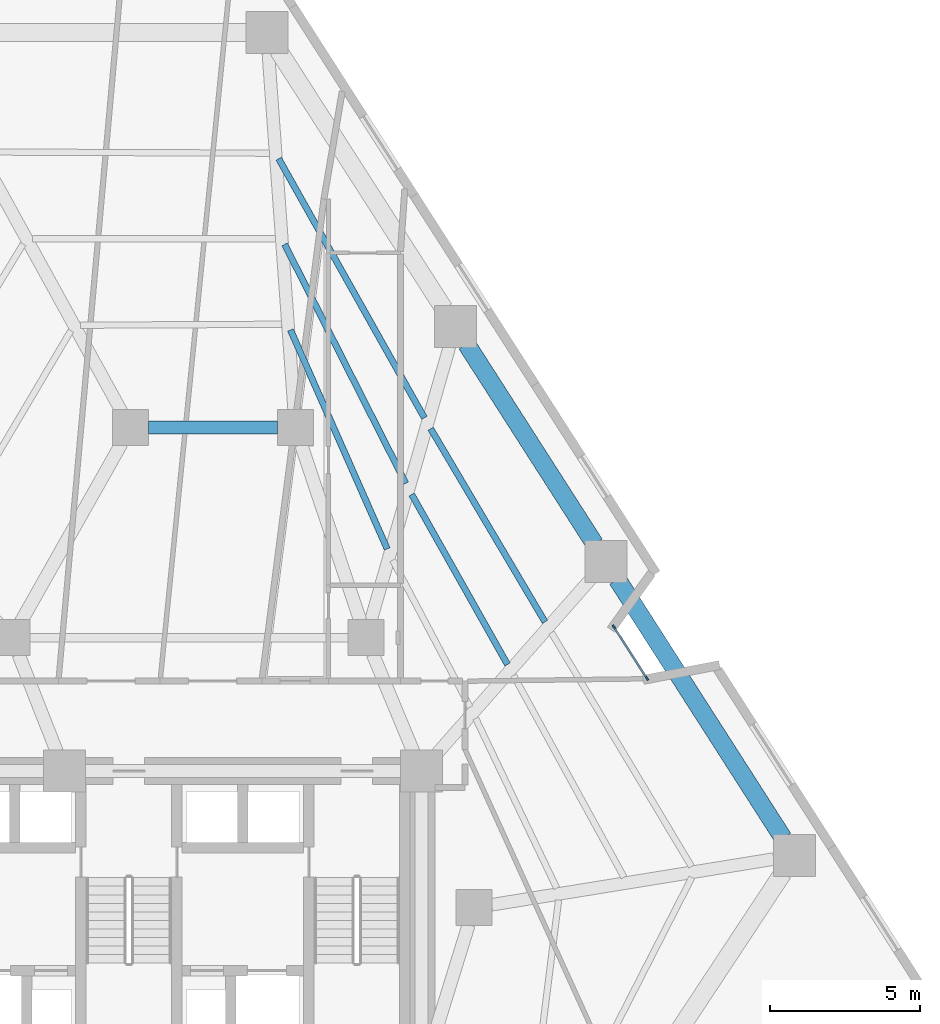
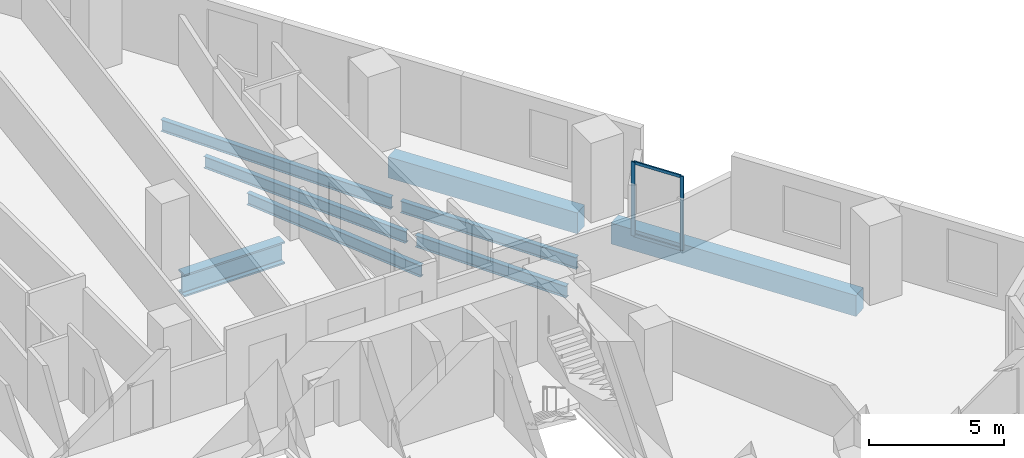
# One storey, part 4 of 14: 8 beams, 4 members, 1 element without a shape of its own.
"""IFC4 building model written with IfcOpenShell, lengths in metres."""

from ifc_helpers import new_model, si_unit, direction, frame, origin, origin_2d, place, context, subcontext, project, spatial, rectangle, i_section, extrude, material, layer, layer_set, material_profile, profile_set, type_object, element, aggregate, save


model = new_model("IFC4")

# Units and contexts
model_context = context("Model", 3, precision=1e-05, world=origin(), true_north=direction((0.0, 1.0)))
body_context = subcontext(model_context, "Body", "Model", "MODEL_VIEW")
ifc_project = project(units=[si_unit("LENGTHUNIT", "METRE"), si_unit("AREAUNIT", "SQUARE_METRE"), si_unit("VOLUMEUNIT", "CUBIC_METRE"), si_unit("PLANEANGLEUNIT", "RADIAN"), si_unit("MASSUNIT", "GRAM", prefix="KILO")], contexts=[model_context])

# Site, building, storey
site_placement = place(None, origin())
site = spatial("IfcSite", under=ifc_project, at=site_placement, CompositionType="ELEMENT")
building_placement = place(site_placement, origin())
building = spatial("IfcBuilding", under=site, at=building_placement, Name="Almagre Mirador Tower", CompositionType="ELEMENT")
storey_placement = place(building_placement, frame((0.0, 0.0, 46.199951171875)))
storey = spatial("IfcBuildingStorey", under=building, at=storey_placement, Name="L10", CompositionType="ELEMENT", Elevation=46.199951171875)

# Beams
ifc_material_1 = material(Name="Steel ASTM A992 Grade 50", Category="steel")
ifc_material_profile_1 = material_profile(ifc_material_1, i_section(OverallWidth=0.208984375, OverallDepth=0.532958984375, WebThickness=0.01025390625, FlangeThickness=0.015625, FilletRadius=0.01806640625, at=origin_2d()), Name="W21X62")
ifc_profile_set_1 = profile_set([ifc_material_profile_1], Name="Steel ASTM A992 Grade 50")
beam_type_1 = type_object("IfcBeamType", Name="BM-JST-W21X62", PredefinedType="JOIST", material=ifc_profile_set_1)
beam_1_placement = place(storey_placement, frame((51.169189453125, 19.72705078125, -0.516357421875), z_axis=(-0.509385502228, 0.860538441977, 0.0), x_axis=(-0.860538441977, -0.509385502228, 0.0)))
element("IfcBeam", 1, at=beam_1_placement, inside=storey, type_object=beam_type_1, Name="L10 secondary floor joist PC06-PC07.1", PredefinedType="JOIST", context=body_context, shape_type="SweptSolid", body=[
    extrude(i_section(OverallWidth=0.208984375, OverallDepth=0.532958984375, WebThickness=0.01025390625, FlangeThickness=0.015625, FilletRadius=0.01806640625, at=origin_2d()), origin(), (0.0, 0.0, 1.0), 7.481689453125),
])
beam_2_placement = place(storey_placement, frame((49.918701171875, 18.305419921875, -0.516357421875), z_axis=(-0.490831296071, 0.871254634879, 0.0), x_axis=(-0.871254634879, -0.490831296071, 0.0)))
element("IfcBeam", 2, at=beam_2_placement, inside=storey, type_object=beam_type_1, Name="L10 secondary floor joist PC06-PC07.2", PredefinedType="JOIST", context=body_context, shape_type="SweptSolid", body=[
    extrude(i_section(OverallWidth=0.208984375, OverallDepth=0.532958984375, WebThickness=0.01025390625, FlangeThickness=0.015625, FilletRadius=0.01806640625, at=origin_2d()), origin(), (0.0, 0.0, 1.0), 6.505615234375),
])
beam_3_placement = place(storey_placement, frame((47.148681640625, 26.5283203125, -0.516357421875), z_axis=(-0.490112691696, 0.871659078676, 0.0), x_axis=(-0.871659078676, -0.490112691696, 0.0)))
element("IfcBeam", 3, at=beam_3_placement, inside=storey, type_object=beam_type_1, Name="L10 secondary floor joist PC07-PC08.1", PredefinedType="JOIST", context=body_context, shape_type="SweptSolid", body=[
    extrude(i_section(OverallWidth=0.208984375, OverallDepth=0.532958984375, WebThickness=0.01025390625, FlangeThickness=0.015625, FilletRadius=0.01806640625, at=origin_2d()), origin(), (0.0, 0.0, 1.0), 9.910400390625),
])
beam_4_placement = place(storey_placement, frame((46.528076171875, 24.343017578125, -0.516357421875), z_axis=(-0.45203843344, 0.89199846115, 0.0), x_axis=(-0.89199846115, -0.45203843344, 0.0)))
element("IfcBeam", 4, at=beam_4_placement, inside=storey, type_object=beam_type_1, Name="L10 secondary floor joist PC07-PC08.2", PredefinedType="JOIST", context=body_context, shape_type="SweptSolid", body=[
    extrude(i_section(OverallWidth=0.208984375, OverallDepth=0.532958984375, WebThickness=0.01025390625, FlangeThickness=0.015625, FilletRadius=0.01806640625, at=origin_2d()), origin(), (0.0, 0.0, 1.0), 8.93408203125),
])
beam_5_placement = place(storey_placement, frame((45.90966796875, 22.157958984375, -0.516357421875), z_axis=(-0.404053712835, 0.914735260687, 0.0), x_axis=(-0.914735260687, -0.404053712835, 0.0)))
element("IfcBeam", 5, at=beam_5_placement, inside=storey, type_object=beam_type_1, Name="L10 secondary floor joist PC07-PC08.3", PredefinedType="JOIST", context=body_context, shape_type="SweptSolid", body=[
    extrude(i_section(OverallWidth=0.208984375, OverallDepth=0.532958984375, WebThickness=0.01025390625, FlangeThickness=0.015625, FilletRadius=0.01806640625, at=origin_2d()), origin(), (0.0, 0.0, 1.0), 7.9794921875),
])
ifc_material_2 = material(Name="Precast concrete C50/60", Category="concrete")
ifc_material_profile_2 = material_profile(ifc_material_2, rectangle(XDim=0.60009765625, YDim=0.949951171875, at=origin_2d()), Name="RC600X950")
ifc_profile_set_2 = profile_set([ifc_material_profile_2], Name="Precast concrete C50/60")
beam_type_2 = type_object("IfcBeamType", Name="BM-SPN-RC600X950", PredefinedType="SPANDREL", material=ifc_profile_set_2)
beam_6_placement = place(storey_placement, frame((59.104248046875, 12.5224609375, -0.724853515625), z_axis=(-0.539549548581, 0.841953849463, 0.0), x_axis=(-0.841953849463, -0.539549548581, 0.0)))
element("IfcBeam", 6, at=beam_6_placement, inside=storey, type_object=beam_type_2, Name="L10 perimeter spandrel beam PC05-PC06", PredefinedType="SPANDREL", context=body_context, shape_type="SweptSolid", body=[
    extrude(rectangle(XDim=0.60009765625, YDim=0.949951171875, at=origin_2d()), origin(), (0.0, 0.0, 1.0), 10.239501953125),
])
beam_7_placement = place(storey_placement, frame((52.82421875, 22.322509765625, -0.724853515625), z_axis=(-0.539540486584, 0.841959656597, 0.0), x_axis=(-0.841959656597, -0.539540486584, 0.0)))
element("IfcBeam", 7, at=beam_7_placement, inside=storey, type_object=beam_type_2, Name="L10 perimeter spandrel beam PC06-PC07", PredefinedType="SPANDREL", context=body_context, shape_type="SweptSolid", body=[
    extrude(rectangle(XDim=0.60009765625, YDim=0.949951171875, at=origin_2d()), origin(), (0.0, 0.0, 1.0), 7.911376953125),
])
ifc_material_3 = material(Name="Steel ASTM A992 Grade 50", Category="steel")
ifc_material_profile_3 = material_profile(ifc_material_3, i_section(OverallWidth=0.43701171875, OverallDepth=1.010986328125, WebThickness=0.041015625, FlangeThickness=0.073974609375, FilletRadius=0.028076171875, at=origin_2d()), Name="W36X529")
ifc_profile_set_3 = profile_set([ifc_material_profile_3], Name="Steel ASTM A992 Grade 50")
beam_type_3 = type_object("IfcBeamType", Name="BM-STL-W36X529", PredefinedType="BEAM", material=ifc_profile_set_3)
beam_8_placement = place(storey_placement, frame((37.949951171875, 26.199951171875, -0.75537109375), z_axis=(1.0, 0.0, 0.0), x_axis=(0.0, 1.0, 0.0)))
element("IfcBeam", 8, at=beam_8_placement, inside=storey, type_object=beam_type_3, Name="L10 core tie girder MC7-MC6", PredefinedType="BEAM", context=body_context, shape_type="SweptSolid", body=[
    extrude(i_section(OverallWidth=0.43701171875, OverallDepth=1.010986328125, WebThickness=0.041015625, FlangeThickness=0.073974609375, FilletRadius=0.028076171875, at=origin_2d()), origin(), (0.0, 0.0, 1.0), 4.300048828125),
])

# Curtain wall, members
ifc_material_4 = material(Name="Black anodized aluminium", Category="aluminium")
ifc_layer = layer(ifc_material_4, 0.169921875)
ifc_layer_set = layer_set([ifc_layer], Name="Black anodized aluminium")
curtain_wall_type = type_object("IfcCurtainWallType", Name="CW-CRS-SYS", PredefinedType="NOTDEFINED", material=ifc_layer_set)
curtain_wall_placement = place(storey_placement, origin())
curtain_wall = element("IfcCurtainWall", 9, at=curtain_wall_placement, inside=storey, type_object=curtain_wall_type, Name="L10 vertical crease curtain wall 03", PredefinedType="NOTDEFINED")
ifc_material_5 = material(Name="Black anodized aluminium", Category="aluminium")
ifc_material_profile_4 = material_profile(ifc_material_5, rectangle(XDim=0.06005859375, YDim=0.14990234375, at=origin_2d()), Name="CWM60X150")
ifc_profile_set_4 = profile_set([ifc_material_profile_4], Name="Black anodized aluminium")
member_type_1 = type_object("IfcMemberType", Name="MBR-CWM60X150", PredefinedType="MULLION", material=ifc_profile_set_4)
member_1_placement = place(storey_placement, frame((53.46826171875, 19.5556640625, 0.0), z_axis=(0.0, 0.0, 1.0), x_axis=(0.841923718176, 0.539596564827, 0.0)))
member_1 = element("IfcMember", 10, at=member_1_placement, type_object=member_type_1, Name="CW-4 mullion 1", PredefinedType="MULLION", context=body_context, shape_type="SweptSolid", body=[
    extrude(rectangle(XDim=0.06005859375, YDim=0.14990234375, at=origin_2d()), origin(), (0.0, 0.0, 1.0), 3.35009765625),
])
member_2_placement = place(storey_placement, frame((54.563720703125, 17.84619140625, 0.0), z_axis=(0.0, 0.0, 1.0), x_axis=(0.841923718176, 0.539596564827, 0.0)))
member_2 = element("IfcMember", 11, at=member_2_placement, type_object=member_type_1, Name="CW-4 mullion 2", PredefinedType="MULLION", context=body_context, shape_type="SweptSolid", body=[
    extrude(rectangle(XDim=0.06005859375, YDim=0.14990234375, at=origin_2d()), origin(), (0.0, 0.0, 1.0), 3.35009765625),
])
ifc_material_6 = material(Name="Black anodized aluminium", Category="aluminium")
ifc_material_profile_5 = material_profile(ifc_material_6, rectangle(XDim=0.06005859375, YDim=0.1298828125, at=origin_2d()), Name="CWT60X130")
ifc_profile_set_5 = profile_set([ifc_material_profile_5], Name="Black anodized aluminium")
member_type_2 = type_object("IfcMemberType", Name="MBR-CWT60X130", PredefinedType="USERDEFINED", material=ifc_profile_set_5)
member_3_placement = place(storey_placement, frame((53.484375, 19.530517578125, 0.030029296875), z_axis=(0.539598560897, -0.841922438873, 0.0), x_axis=(0.841922438873, 0.539598560897, 0.0)))
member_3 = element("IfcMember", 12, at=member_3_placement, type_object=member_type_2, Name="CW-4 transom 1.1", ObjectType="TRANSOM", PredefinedType="USERDEFINED", context=body_context, shape_type="SweptSolid", body=[
    extrude(rectangle(XDim=0.06005859375, YDim=0.1298828125, at=origin_2d()), origin(), (0.0, 0.0, 1.0), 1.970458984375),
])
member_4_placement = place(storey_placement, frame((53.484375, 19.530517578125, 3.320068359375), z_axis=(0.539598560897, -0.841922438873, 0.0), x_axis=(0.841922438873, 0.539598560897, 0.0)))
member_4 = element("IfcMember", 13, at=member_4_placement, type_object=member_type_2, Name="CW-4 transom 1.2", ObjectType="TRANSOM", PredefinedType="USERDEFINED", context=body_context, shape_type="SweptSolid", body=[
    extrude(rectangle(XDim=0.06005859375, YDim=0.1298828125, at=origin_2d()), origin(), (0.0, 0.0, 1.0), 1.970458984375),
])
aggregate(curtain_wall, [member_1, member_2, member_3, member_4])

save(model, "model.ifc")
